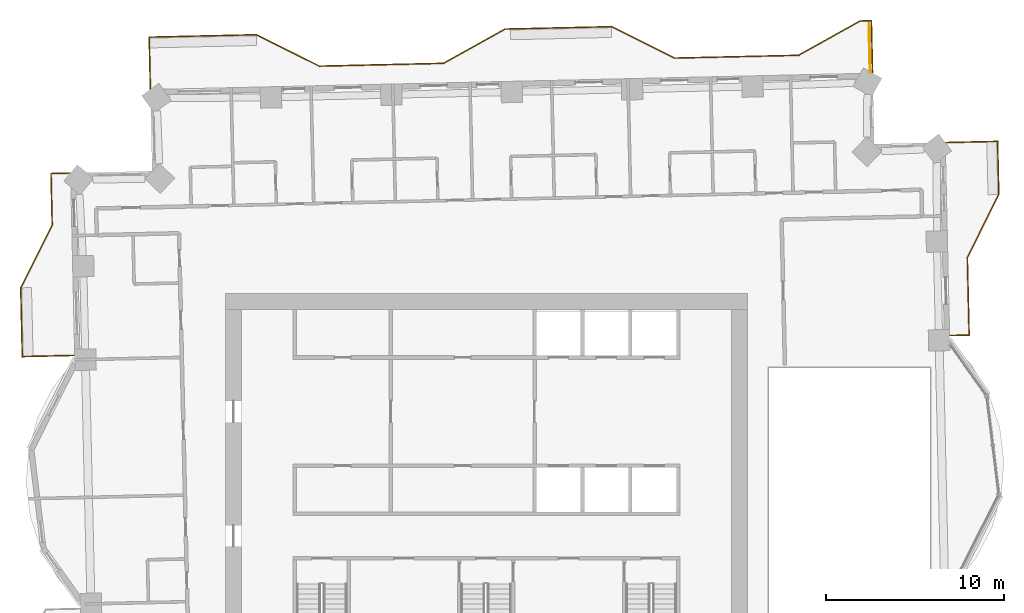
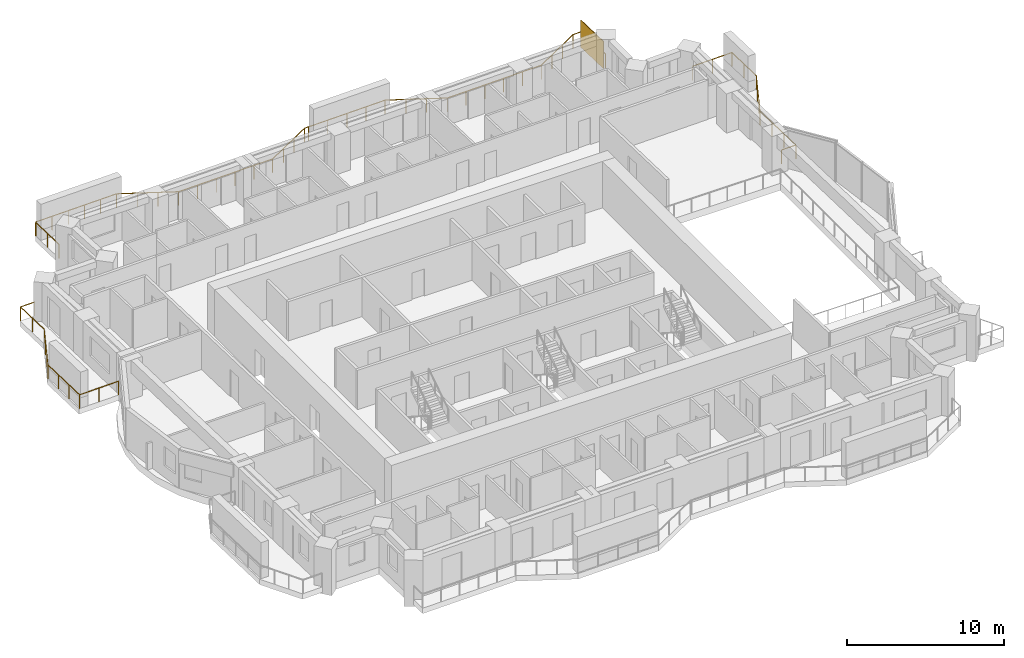
# One storey, part 14 of 14: 3 railings, 1 shading device.
"""IFC4 building model written with IfcOpenShell, lengths in metres."""

from ifc_helpers import new_model, si_unit, direction, frame, origin, origin_2d, place, context, subcontext, project, spatial, rectangle, extrude, material, type_object, element, save


model = new_model("IFC4")

# Units and contexts
model_context = context("Model", 3, precision=1e-05, world=origin(), true_north=direction((0.0, 1.0)))
body_context = subcontext(model_context, "Body", "Model", "MODEL_VIEW")
ifc_project = project(units=[si_unit("LENGTHUNIT", "METRE"), si_unit("AREAUNIT", "SQUARE_METRE"), si_unit("VOLUMEUNIT", "CUBIC_METRE"), si_unit("PLANEANGLEUNIT", "RADIAN"), si_unit("MASSUNIT", "GRAM", prefix="KILO")], contexts=[model_context])

# Site, building, storey
site_placement = place(None, origin())
site = spatial("IfcSite", under=ifc_project, at=site_placement, CompositionType="ELEMENT")
building_placement = place(site_placement, origin())
building = spatial("IfcBuilding", under=site, at=building_placement, Name="Mangrove Gate Tower", CompositionType="ELEMENT")
storey_placement = place(building_placement, frame((0.0, 0.0, 182.5)))
storey = spatial("IfcBuildingStorey", under=building, at=storey_placement, Name="L46", CompositionType="ELEMENT", Elevation=182.5)

# Railings
ifc_material_1 = material(Name="Stainless steel grade 316 with laminated glass infill", Category="steel")
railing_type = type_object("IfcRailingType", Name="Balcony guard 1100", PredefinedType="GUARDRAIL", material=ifc_material_1)
railing_1_placement = place(storey_placement, frame((26.112060546875, 9.333984375, 0.0)))
element("IfcRailing", 1, at=railing_1_placement, inside=storey, type_object=railing_type, Name="GUARD L46 E2", PredefinedType="GUARDRAIL", context=body_context, shape_type="SweptSolid", body=[
    extrude(rectangle(XDim=0.048095703125, YDim=0.048095703125, at=origin_2d()), frame((0.0, 0.0, 1.076171875), z_axis=(0.999765742531, 0.021643938231, 0.0), x_axis=(-0.021643938231, 0.999765742531, 0.0)), (0.0, 0.0, 1.0), 1.060302734375),
    extrude(rectangle(XDim=0.048095703125, YDim=0.048095703125, at=origin_2d()), frame((1.06005859375, 0.02294921875, 1.076171875), z_axis=(-0.022878582435, 0.999738250977, 0.0), x_axis=(-0.999738250977, -0.022878582435, 0.0)), (0.0, 0.0, 1.0), 4.375244140625),
    extrude(rectangle(XDim=0.048095703125, YDim=0.048095703125, at=origin_2d()), frame((0.9599609375, 4.39697265625, 1.076171875), z_axis=(0.447312255532, 0.894377854182, 0.0), x_axis=(-0.894377854182, 0.447312255532, 0.0)), (0.0, 0.0, 1.0), 3.959228515625),
    extrude(rectangle(XDim=0.048095703125, YDim=0.048095703125, at=origin_2d()), frame((2.73095703125, 7.93798828125, 1.076171875), z_axis=(-0.022706615587, 0.999742171567, 0.0), x_axis=(-0.999742171567, -0.022706615587, 0.0)), (0.0, 0.0, 1.0), 2.999755859375),
    extrude(rectangle(XDim=0.048095703125, YDim=0.048095703125, at=origin_2d()), frame((2.662841796875, 10.93701171875, 1.076171875), z_axis=(-0.999743521605, -0.022647097142, 0.0), x_axis=(0.022647097142, -0.999743521605, 0.0)), (0.0, 0.0, 1.0), 2.91064453125),
    extrude(rectangle(XDim=0.0419921875, YDim=0.0419921875, at=origin_2d()), origin(), (0.0, 0.0, 1.0), 1.052001953125),
    extrude(rectangle(XDim=0.0419921875, YDim=0.0419921875, at=origin_2d()), frame((1.06005859375, 0.02294921875, 0.0)), (0.0, 0.0, 1.0), 1.052001953125),
    extrude(rectangle(XDim=0.0419921875, YDim=0.0419921875, at=origin_2d()), frame((1.026611328125, 1.48095703125, 0.0)), (0.0, 0.0, 1.0), 1.052001953125),
    extrude(rectangle(XDim=0.0419921875, YDim=0.0419921875, at=origin_2d()), frame((0.993408203125, 2.93896484375, 0.0)), (0.0, 0.0, 1.0), 1.052001953125),
    extrude(rectangle(XDim=0.0419921875, YDim=0.0419921875, at=origin_2d()), frame((0.9599609375, 4.39697265625, 0.0)), (0.0, 0.0, 1.0), 1.052001953125),
    extrude(rectangle(XDim=0.0419921875, YDim=0.0419921875, at=origin_2d()), frame((1.55029296875, 5.577392578125, 0.0)), (0.0, 0.0, 1.0), 1.052001953125),
    extrude(rectangle(XDim=0.0419921875, YDim=0.0419921875, at=origin_2d()), frame((2.140625, 6.757568359375, 0.0)), (0.0, 0.0, 1.0), 1.052001953125),
    extrude(rectangle(XDim=0.0419921875, YDim=0.0419921875, at=origin_2d()), frame((2.73095703125, 7.93798828125, 0.0)), (0.0, 0.0, 1.0), 1.052001953125),
    extrude(rectangle(XDim=0.0419921875, YDim=0.0419921875, at=origin_2d()), frame((2.69677734375, 9.4375, 0.0)), (0.0, 0.0, 1.0), 1.052001953125),
    extrude(rectangle(XDim=0.0419921875, YDim=0.0419921875, at=origin_2d()), frame((2.662841796875, 10.93701171875, 0.0)), (0.0, 0.0, 1.0), 1.052001953125),
    extrude(rectangle(XDim=0.0419921875, YDim=0.0419921875, at=origin_2d()), frame((1.2080078125, 10.904052734375, 0.0)), (0.0, 0.0, 1.0), 1.052001953125),
    extrude(rectangle(XDim=0.0419921875, YDim=0.0419921875, at=origin_2d()), frame((-0.2470703125, 10.87109375, 0.0)), (0.0, 0.0, 1.0), 1.052001953125),
])
railing_2_placement = place(storey_placement, frame((21.735107421875, 24.153076171875, 0.0)))
element("IfcRailing", 2, at=railing_2_placement, inside=storey, type_object=railing_type, Name="GUARD L46 N1", PredefinedType="GUARDRAIL", context=body_context, shape_type="SweptSolid", body=[
    extrude(rectangle(XDim=0.048095703125, YDim=0.048095703125, at=origin_2d()), frame((0.0, 0.0, 1.076171875), z_axis=(-0.022738559105, 0.99974144554, 0.0), x_axis=(-0.99974144554, -0.022738559105, 0.0)), (0.0, 0.0, 1.0), 2.90966796875),
    extrude(rectangle(XDim=0.048095703125, YDim=0.048095703125, at=origin_2d()), frame((-0.066162109375, 2.908935546875, 1.076171875), z_axis=(-0.999729280682, -0.023267259108, 0.0), x_axis=(0.023267259108, -0.999729280682, 0.0)), (0.0, 0.0, 1.0), 0.64013671875),
    extrude(rectangle(XDim=0.048095703125, YDim=0.048095703125, at=origin_2d()), frame((-0.7060546875, 2.89404296875, 1.076171875), z_axis=(-0.873230657876, -0.487307108654, 0.0), x_axis=(0.487307108654, -0.873230657876, 0.0)), (0.0, 0.0, 1.0), 3.958984375),
    extrude(rectangle(XDim=0.048095703125, YDim=0.048095703125, at=origin_2d()), frame((-4.1630859375, 0.96484375, 1.076171875), z_axis=(-0.999745352708, -0.022566119286, 0.0), x_axis=(0.022566119286, -0.999745352708, 0.0)), (0.0, 0.0, 1.0), 6.999755859375),
    extrude(rectangle(XDim=0.048095703125, YDim=0.048095703125, at=origin_2d()), frame((-11.1611328125, 0.806884765625, 1.076171875), z_axis=(-0.894525821107, 0.447016280881, 0.0), x_axis=(-0.447016280881, -0.894525821107, 0.0)), (0.0, 0.0, 1.0), 3.959716796875),
    extrude(rectangle(XDim=0.048095703125, YDim=0.048095703125, at=origin_2d()), frame((-14.703125, 2.576904296875, 1.076171875), z_axis=(-0.999740307396, -0.022788544648, 0.0), x_axis=(0.022788544648, -0.999740307396, 0.0)), (0.0, 0.0, 1.0), 5.699462890625),
    extrude(rectangle(XDim=0.048095703125, YDim=0.048095703125, at=origin_2d()), frame((-20.401123046875, 2.447021484375, 1.076171875), z_axis=(-0.999793170966, -0.02033753399, 0.0), x_axis=(0.02033753399, -0.999793170966, 0.0)), (0.0, 0.0, 1.0), 0.300048828125),
    extrude(rectangle(XDim=0.048095703125, YDim=0.048095703125, at=origin_2d()), frame((-20.701171875, 2.44091796875, 1.076171875), z_axis=(-0.87325689943, -0.48726008209, 0.0), x_axis=(0.48726008209, -0.87325689943, 0.0)), (0.0, 0.0, 1.0), 3.958740234375),
    extrude(rectangle(XDim=0.048095703125, YDim=0.048095703125, at=origin_2d()), frame((-24.158203125, 0.511962890625, 1.076171875), z_axis=(-0.999742177561, -0.022706351659, 0.0), x_axis=(0.022706351659, -0.999742177561, 0.0)), (0.0, 0.0, 1.0), 6.99951171875),
    extrude(rectangle(XDim=0.048095703125, YDim=0.048095703125, at=origin_2d()), frame((-31.156005859375, 0.35302734375, 1.076171875), z_axis=(-0.894501186021, 0.447065574839, 0.0), x_axis=(-0.447065574839, -0.894501186021, 0.0)), (0.0, 0.0, 1.0), 3.958740234375),
    extrude(rectangle(XDim=0.048095703125, YDim=0.048095703125, at=origin_2d()), frame((-34.697021484375, 2.122802734375, 1.076171875), z_axis=(-0.999743178102, -0.022662255828, 0.0), x_axis=(0.022662255828, -0.999743178102, 0.0)), (0.0, 0.0, 1.0), 6.00048828125),
    extrude(rectangle(XDim=0.048095703125, YDim=0.048095703125, at=origin_2d()), frame((-40.696044921875, 1.98681640625, 1.076171875), z_axis=(-0.871575537125, -0.490261239633, 0.0), x_axis=(0.490261239633, -0.871575537125, 0.0)), (0.0, 0.0, 1.0), 0.044921875),
    extrude(rectangle(XDim=0.048095703125, YDim=0.048095703125, at=origin_2d()), frame((-40.735107421875, 1.96484375, 1.076171875), z_axis=(0.022481424582, -0.999747260836, 0.0), x_axis=(0.999747260836, 0.022481424582, 0.0)), (0.0, 0.0, 1.0), 2.888671875),
    extrude(rectangle(XDim=0.0419921875, YDim=0.0419921875, at=origin_2d()), origin(), (0.0, 0.0, 1.0), 1.052001953125),
    extrude(rectangle(XDim=0.0419921875, YDim=0.0419921875, at=origin_2d()), frame((-0.033203125, 1.45458984375, 0.0)), (0.0, 0.0, 1.0), 1.052001953125),
    extrude(rectangle(XDim=0.0419921875, YDim=0.0419921875, at=origin_2d()), frame((-0.066162109375, 2.908935546875, 0.0)), (0.0, 0.0, 1.0), 1.052001953125),
    extrude(rectangle(XDim=0.0419921875, YDim=0.0419921875, at=origin_2d()), frame((-0.7060546875, 2.89404296875, 0.0)), (0.0, 0.0, 1.0), 1.052001953125),
    extrude(rectangle(XDim=0.0419921875, YDim=0.0419921875, at=origin_2d()), frame((-1.8583984375, 2.2509765625, 0.0)), (0.0, 0.0, 1.0), 1.052001953125),
    extrude(rectangle(XDim=0.0419921875, YDim=0.0419921875, at=origin_2d()), frame((-3.0107421875, 1.60791015625, 0.0)), (0.0, 0.0, 1.0), 1.052001953125),
    extrude(rectangle(XDim=0.0419921875, YDim=0.0419921875, at=origin_2d()), frame((-4.1630859375, 0.96484375, 0.0)), (0.0, 0.0, 1.0), 1.052001953125),
    extrude(rectangle(XDim=0.0419921875, YDim=0.0419921875, at=origin_2d()), frame((-5.562744140625, 0.933349609375, 0.0)), (0.0, 0.0, 1.0), 1.052001953125),
    extrude(rectangle(XDim=0.0419921875, YDim=0.0419921875, at=origin_2d()), frame((-6.96240234375, 0.901611328125, 0.0)), (0.0, 0.0, 1.0), 1.052001953125),
    extrude(rectangle(XDim=0.0419921875, YDim=0.0419921875, at=origin_2d()), frame((-8.36181640625, 0.8701171875, 0.0)), (0.0, 0.0, 1.0), 1.052001953125),
    extrude(rectangle(XDim=0.0419921875, YDim=0.0419921875, at=origin_2d()), frame((-9.761474609375, 0.83837890625, 0.0)), (0.0, 0.0, 1.0), 1.052001953125),
    extrude(rectangle(XDim=0.0419921875, YDim=0.0419921875, at=origin_2d()), frame((-11.1611328125, 0.806884765625, 0.0)), (0.0, 0.0, 1.0), 1.052001953125),
    extrude(rectangle(XDim=0.0419921875, YDim=0.0419921875, at=origin_2d()), frame((-12.341796875, 1.39697265625, 0.0)), (0.0, 0.0, 1.0), 1.052001953125),
    extrude(rectangle(XDim=0.0419921875, YDim=0.0419921875, at=origin_2d()), frame((-13.5224609375, 1.98681640625, 0.0)), (0.0, 0.0, 1.0), 1.052001953125),
    extrude(rectangle(XDim=0.0419921875, YDim=0.0419921875, at=origin_2d()), frame((-14.703125, 2.576904296875, 0.0)), (0.0, 0.0, 1.0), 1.052001953125),
    extrude(rectangle(XDim=0.0419921875, YDim=0.0419921875, at=origin_2d()), frame((-16.127685546875, 2.54443359375, 0.0)), (0.0, 0.0, 1.0), 1.052001953125),
    extrude(rectangle(XDim=0.0419921875, YDim=0.0419921875, at=origin_2d()), frame((-17.55224609375, 2.511962890625, 0.0)), (0.0, 0.0, 1.0), 1.052001953125),
    extrude(rectangle(XDim=0.0419921875, YDim=0.0419921875, at=origin_2d()), frame((-18.9765625, 2.4794921875, 0.0)), (0.0, 0.0, 1.0), 1.052001953125),
    extrude(rectangle(XDim=0.0419921875, YDim=0.0419921875, at=origin_2d()), frame((-20.401123046875, 2.447021484375, 0.0)), (0.0, 0.0, 1.0), 1.052001953125),
    extrude(rectangle(XDim=0.0419921875, YDim=0.0419921875, at=origin_2d()), frame((-20.701171875, 2.44091796875, 0.0)), (0.0, 0.0, 1.0), 1.052001953125),
    extrude(rectangle(XDim=0.0419921875, YDim=0.0419921875, at=origin_2d()), frame((-21.853515625, 1.7978515625, 0.0)), (0.0, 0.0, 1.0), 1.052001953125),
    extrude(rectangle(XDim=0.0419921875, YDim=0.0419921875, at=origin_2d()), frame((-23.005859375, 1.155029296875, 0.0)), (0.0, 0.0, 1.0), 1.052001953125),
    extrude(rectangle(XDim=0.0419921875, YDim=0.0419921875, at=origin_2d()), frame((-24.158203125, 0.511962890625, 0.0)), (0.0, 0.0, 1.0), 1.052001953125),
    extrude(rectangle(XDim=0.0419921875, YDim=0.0419921875, at=origin_2d()), frame((-25.557861328125, 0.480224609375, 0.0)), (0.0, 0.0, 1.0), 1.052001953125),
    extrude(rectangle(XDim=0.0419921875, YDim=0.0419921875, at=origin_2d()), frame((-26.957275390625, 0.448486328125, 0.0)), (0.0, 0.0, 1.0), 1.052001953125),
    extrude(rectangle(XDim=0.0419921875, YDim=0.0419921875, at=origin_2d()), frame((-28.35693359375, 0.41650390625, 0.0)), (0.0, 0.0, 1.0), 1.052001953125),
    extrude(rectangle(XDim=0.0419921875, YDim=0.0419921875, at=origin_2d()), frame((-29.75634765625, 0.384765625, 0.0)), (0.0, 0.0, 1.0), 1.052001953125),
    extrude(rectangle(XDim=0.0419921875, YDim=0.0419921875, at=origin_2d()), frame((-31.156005859375, 0.35302734375, 0.0)), (0.0, 0.0, 1.0), 1.052001953125),
    extrude(rectangle(XDim=0.0419921875, YDim=0.0419921875, at=origin_2d()), frame((-32.33642578125, 0.94287109375, 0.0)), (0.0, 0.0, 1.0), 1.052001953125),
    extrude(rectangle(XDim=0.0419921875, YDim=0.0419921875, at=origin_2d()), frame((-33.5166015625, 1.532958984375, 0.0)), (0.0, 0.0, 1.0), 1.052001953125),
    extrude(rectangle(XDim=0.0419921875, YDim=0.0419921875, at=origin_2d()), frame((-34.697021484375, 2.122802734375, 0.0)), (0.0, 0.0, 1.0), 1.052001953125),
    extrude(rectangle(XDim=0.0419921875, YDim=0.0419921875, at=origin_2d()), frame((-35.896728515625, 2.095703125, 0.0)), (0.0, 0.0, 1.0), 1.052001953125),
    extrude(rectangle(XDim=0.0419921875, YDim=0.0419921875, at=origin_2d()), frame((-37.0966796875, 2.068359375, 0.0)), (0.0, 0.0, 1.0), 1.052001953125),
    extrude(rectangle(XDim=0.0419921875, YDim=0.0419921875, at=origin_2d()), frame((-38.29638671875, 2.041259765625, 0.0)), (0.0, 0.0, 1.0), 1.052001953125),
    extrude(rectangle(XDim=0.0419921875, YDim=0.0419921875, at=origin_2d()), frame((-39.496337890625, 2.013916015625, 0.0)), (0.0, 0.0, 1.0), 1.052001953125),
    extrude(rectangle(XDim=0.0419921875, YDim=0.0419921875, at=origin_2d()), frame((-40.696044921875, 1.98681640625, 0.0)), (0.0, 0.0, 1.0), 1.052001953125),
    extrude(rectangle(XDim=0.0419921875, YDim=0.0419921875, at=origin_2d()), frame((-40.735107421875, 1.96484375, 0.0)), (0.0, 0.0, 1.0), 1.052001953125),
    extrude(rectangle(XDim=0.0419921875, YDim=0.0419921875, at=origin_2d()), frame((-40.70263671875, 0.52099609375, 0.0)), (0.0, 0.0, 1.0), 1.052001953125),
    extrude(rectangle(XDim=0.0419921875, YDim=0.0419921875, at=origin_2d()), frame((-40.670166015625, -0.923095703125, 0.0)), (0.0, 0.0, 1.0), 1.052001953125),
])
railing_3_placement = place(storey_placement, frame((-23.468017578125, 18.486083984375, 0.0)))
element("IfcRailing", 3, at=railing_3_placement, inside=storey, type_object=railing_type, Name="GUARD L46 W1", PredefinedType="GUARDRAIL", context=body_context, shape_type="SweptSolid", body=[
    extrude(rectangle(XDim=0.048095703125, YDim=0.048095703125, at=origin_2d()), frame((0.0, 0.0, 1.076171875), z_axis=(-0.999740168701, -0.022794628443, 0.0), x_axis=(0.022794628443, -0.999740168701, 0.0)), (0.0, 0.0, 1.0), 1.060302734375),
    extrude(rectangle(XDim=0.048095703125, YDim=0.048095703125, at=origin_2d()), frame((-1.06005859375, -0.024169921875, 1.076171875), z_axis=(0.022809352981, -0.999739832865, 0.0), x_axis=(0.999739832865, 0.022809352981, 0.0)), (0.0, 0.0, 1.0), 2.900634765625),
    extrude(rectangle(XDim=0.048095703125, YDim=0.048095703125, at=origin_2d()), frame((-0.993896484375, -2.924072265625, 1.076171875), z_axis=(-0.447114919141, -0.894476522376, 0.0), x_axis=(0.894476522376, -0.447114919141, 0.0)), (0.0, 0.0, 1.0), 3.958740234375),
    extrude(rectangle(XDim=0.048095703125, YDim=0.048095703125, at=origin_2d()), frame((-2.763916015625, -6.465087890625, 1.076171875), z_axis=(0.022435098042, -0.999748301512, 0.0), x_axis=(0.999748301512, 0.022435098042, 0.0)), (0.0, 0.0, 1.0), 3.8740234375),
    extrude(rectangle(XDim=0.048095703125, YDim=0.048095703125, at=origin_2d()), frame((-2.677001953125, -10.338134765625, 1.076171875), z_axis=(0.999751061857, 0.02231175287, 0.0), x_axis=(-0.02231175287, 0.999751061857, 0.0)), (0.0, 0.0, 1.0), 2.91064453125),
    extrude(rectangle(XDim=0.0419921875, YDim=0.0419921875, at=origin_2d()), origin(), (0.0, 0.0, 1.0), 1.052001953125),
    extrude(rectangle(XDim=0.0419921875, YDim=0.0419921875, at=origin_2d()), frame((-1.06005859375, -0.024169921875, 0.0)), (0.0, 0.0, 1.0), 1.052001953125),
    extrude(rectangle(XDim=0.0419921875, YDim=0.0419921875, at=origin_2d()), frame((-1.02685546875, -1.47412109375, 0.0)), (0.0, 0.0, 1.0), 1.052001953125),
    extrude(rectangle(XDim=0.0419921875, YDim=0.0419921875, at=origin_2d()), frame((-0.993896484375, -2.924072265625, 0.0)), (0.0, 0.0, 1.0), 1.052001953125),
    extrude(rectangle(XDim=0.0419921875, YDim=0.0419921875, at=origin_2d()), frame((-1.583984375, -4.1044921875, 0.0)), (0.0, 0.0, 1.0), 1.052001953125),
    extrude(rectangle(XDim=0.0419921875, YDim=0.0419921875, at=origin_2d()), frame((-2.173828125, -5.28466796875, 0.0)), (0.0, 0.0, 1.0), 1.052001953125),
    extrude(rectangle(XDim=0.0419921875, YDim=0.0419921875, at=origin_2d()), frame((-2.763916015625, -6.465087890625, 0.0)), (0.0, 0.0, 1.0), 1.052001953125),
    extrude(rectangle(XDim=0.0419921875, YDim=0.0419921875, at=origin_2d()), frame((-2.73486328125, -7.756103515625, 0.0)), (0.0, 0.0, 1.0), 1.052001953125),
    extrude(rectangle(XDim=0.0419921875, YDim=0.0419921875, at=origin_2d()), frame((-2.7060546875, -9.047119140625, 0.0)), (0.0, 0.0, 1.0), 1.052001953125),
    extrude(rectangle(XDim=0.0419921875, YDim=0.0419921875, at=origin_2d()), frame((-2.677001953125, -10.338134765625, 0.0)), (0.0, 0.0, 1.0), 1.052001953125),
    extrude(rectangle(XDim=0.0419921875, YDim=0.0419921875, at=origin_2d()), frame((-1.22216796875, -10.3056640625, 0.0)), (0.0, 0.0, 1.0), 1.052001953125),
    extrude(rectangle(XDim=0.0419921875, YDim=0.0419921875, at=origin_2d()), frame((0.23291015625, -10.273193359375, 0.0)), (0.0, 0.0, 1.0), 1.052001953125),
])

# Shading device
ifc_material_2 = material(Name="Timber slat screen in teak", Category="wood")
shading_device_type = type_object("IfcShadingDeviceType", Name="Balcony screen 2100", PredefinedType="USERDEFINED", material=ifc_material_2)
shading_device_placement = place(storey_placement, frame((21.56396484375, 25.52392578125, 0.0), z_axis=(0.0, 0.0, 1.0), x_axis=(-0.022739679942, 0.999741420046, 0.0)))
element("IfcShadingDevice", 4, at=shading_device_placement, inside=storey, type_object=shading_device_type, Name="SCREEN L46 N0", ObjectType="SCREEN", PredefinedType="USERDEFINED", context=body_context, shape_type="SweptSolid", body=[
    extrude(rectangle(XDim=2.7900390625, YDim=0.050048828125, at=origin_2d()), origin(), (0.0, 0.0, 1.0), 2.10009765625),
])

save(model, "model.ifc")
